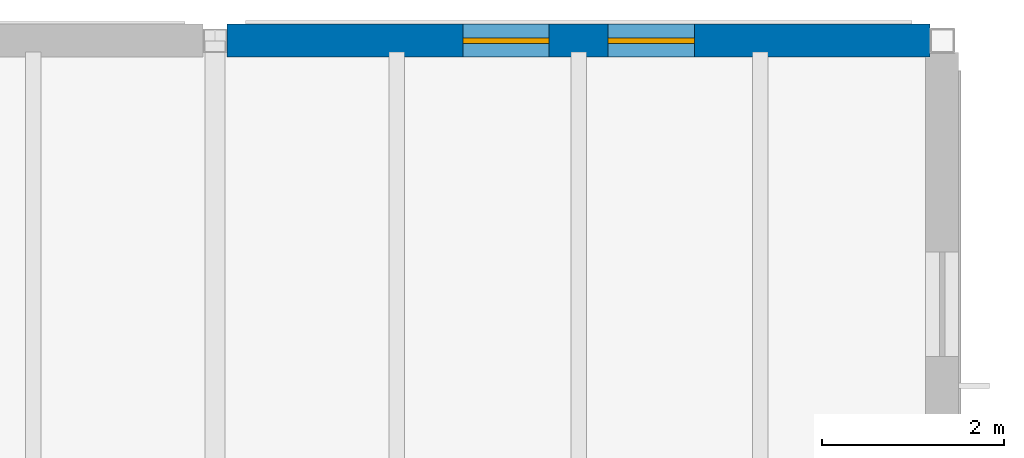
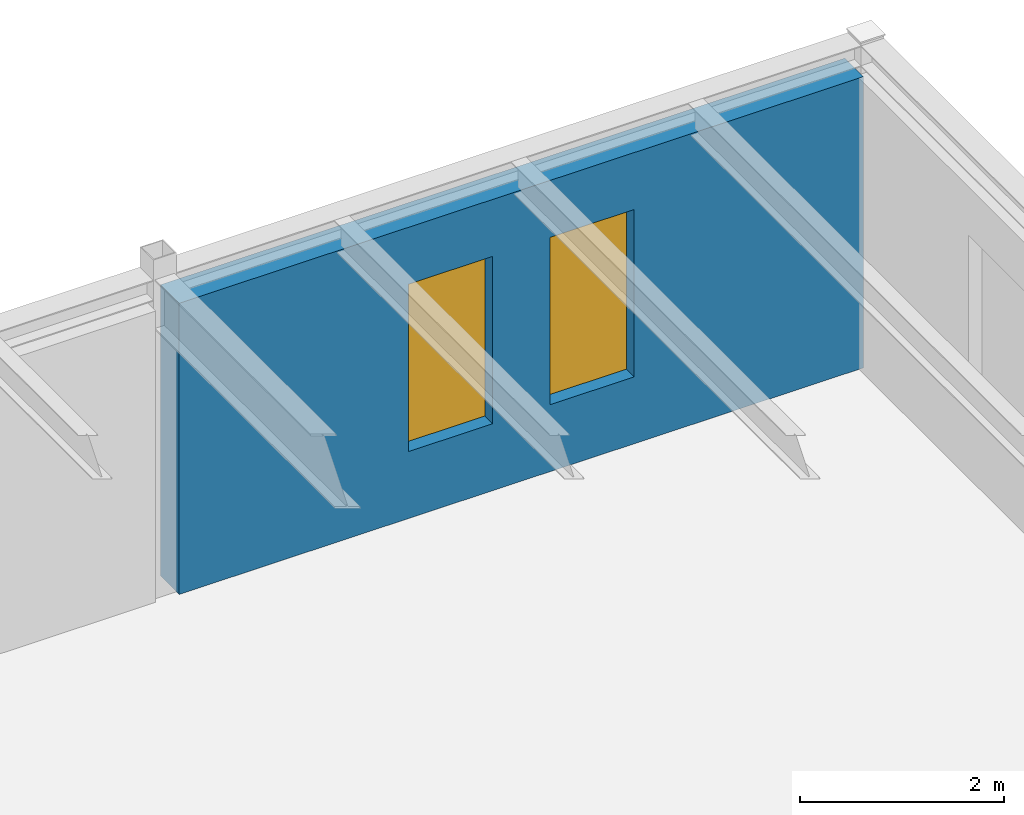
# One storey, part 169 of 189: 2 windows, 1 wall, 2 openings.
"""IFC4 building model written with IfcOpenShell, lengths in metres."""

from ifc_helpers import new_model, si_unit, direction, frame, frame_2d, origin, place, context, subcontext, project, spatial, rectangle, extrude, material, layer, layer_set, type_object, element, fill, save


model = new_model("IFC4")

# Units and contexts
model_context = context("Model", 3, precision=1e-05, world=origin(), true_north=direction((0.0, 1.0)))
body_context = subcontext(model_context, "Body", "Model", "MODEL_VIEW")
ifc_project = project(units=[si_unit("LENGTHUNIT", "METRE"), si_unit("AREAUNIT", "SQUARE_METRE"), si_unit("VOLUMEUNIT", "CUBIC_METRE"), si_unit("PLANEANGLEUNIT", "RADIAN"), si_unit("MASSUNIT", "GRAM", prefix="KILO")], contexts=[model_context])

# Site, building, storey
site_placement = place(None, origin())
site = spatial("IfcSite", under=ifc_project, at=site_placement, CompositionType="ELEMENT")
building_placement = place(site_placement, origin())
building = spatial("IfcBuilding", under=site, at=building_placement, Name="Montecoro Central Library", CompositionType="ELEMENT")
storey_placement = place(building_placement, frame((0.0, 0.0, 9.179931640625)))
storey = spatial("IfcBuildingStorey", under=building, at=storey_placement, Name="L02", CompositionType="ELEMENT", Elevation=9.179931640625)

# Wall, openings, windows
ifc_material_1 = material(Name="Roman travertine stone clad concrete C35/45", Category="masonry")
ifc_layer = layer(ifc_material_1, 0.364990234375)
ifc_layer_set = layer_set([ifc_layer], Name="Roman travertine stone clad concrete C35/45")
wall_type = type_object("IfcWallType", Name="EW-STK-365", PredefinedType="SOLIDWALL", material=ifc_layer_set)
wall_placement = place(storey_placement, frame((172.866943359375, 119.0, 0.0), z_axis=(0.0, 0.0, 1.0), x_axis=(-1.0, 0.0, 0.0)))
wall = element("IfcWall", 1, at=wall_placement, inside=storey, type_object=wall_type, Name="V5-L02-EW-N3", PredefinedType="SOLIDWALL", context=body_context, shape_type="SweptSolid", body=[
    extrude(rectangle(XDim=7.73388671875, YDim=0.364990234375, at=frame_2d((3.866943359375, 0.0))), origin(), (0.0, 0.0, 1.0), 3.47998046875),
])
opening_1_placement = place(wall_placement, frame((2.592041015625, 0.0, 0.800048828125)))
opening_1 = element("IfcOpeningElement", 2, at=opening_1_placement, cuts=wall, Name="Opening WN-02", PredefinedType="OPENING", context=body_context, shape_type="SweptSolid", body=[
    extrude(rectangle(XDim=0.949951171875, YDim=2.0, at=frame_2d((0.47509765625, 1.0))), frame((0.0, 0.1923828125, 0.0), z_axis=(0.0, -1.0, 0.0), x_axis=(1.0, 0.0, 0.0)), (0.0, 0.0, 1.0), 0.385009765625),
])
opening_2_placement = place(wall_placement, frame((4.19189453125, 0.0, 0.800048828125)))
opening_2 = element("IfcOpeningElement", 3, at=opening_2_placement, cuts=wall, Name="Opening WN-02", PredefinedType="OPENING", context=body_context, shape_type="SweptSolid", body=[
    extrude(rectangle(XDim=0.949951171875, YDim=2.0, at=frame_2d((0.47509765625, 1.0))), frame((0.0, 0.1923828125, 0.0), z_axis=(0.0, -1.0, 0.0), x_axis=(1.0, 0.0, 0.0)), (0.0, 0.0, 1.0), 0.385009765625),
])
ifc_material_2 = material(Name="UV-filtered triple glazing", Category="glass")
window_type = type_object("IfcWindowType", Name="WN-STK-095", PartitioningType="SINGLE_PANEL", PredefinedType="WINDOW", material=ifc_material_2)
window_1_placement = place(opening_1_placement, origin())
window_1 = element("IfcWindow", 4, at=window_1_placement, inside=storey, type_object=window_type, Name="V5-L02-WN-N3-1", OverallHeight=2.0, OverallWidth=0.949951171875, PartitioningType="SINGLE_PANEL", PredefinedType="WINDOW", context=body_context, shape_type="SweptSolid", body=[
    extrude(rectangle(XDim=0.949951171875, YDim=2.0, at=frame_2d((0.47509765625, 1.0))), frame((0.0, 0.030029296875, 0.0), z_axis=(0.0, -1.0, 0.0), x_axis=(1.0, 0.0, 0.0)), (0.0, 0.0, 1.0), 0.06005859375),
])
fill(opening_1, window_1)
window_2_placement = place(opening_2_placement, origin())
window_2 = element("IfcWindow", 5, at=window_2_placement, inside=storey, type_object=window_type, Name="V5-L02-WN-N3-2", OverallHeight=2.0, OverallWidth=0.949951171875, PartitioningType="SINGLE_PANEL", PredefinedType="WINDOW", context=body_context, shape_type="SweptSolid", body=[
    extrude(rectangle(XDim=0.949951171875, YDim=2.0, at=frame_2d((0.47509765625, 1.0))), frame((0.0, 0.030029296875, 0.0), z_axis=(0.0, -1.0, 0.0), x_axis=(1.0, 0.0, 0.0)), (0.0, 0.0, 1.0), 0.06005859375),
])
fill(opening_2, window_2)

save(model, "model.ifc")
